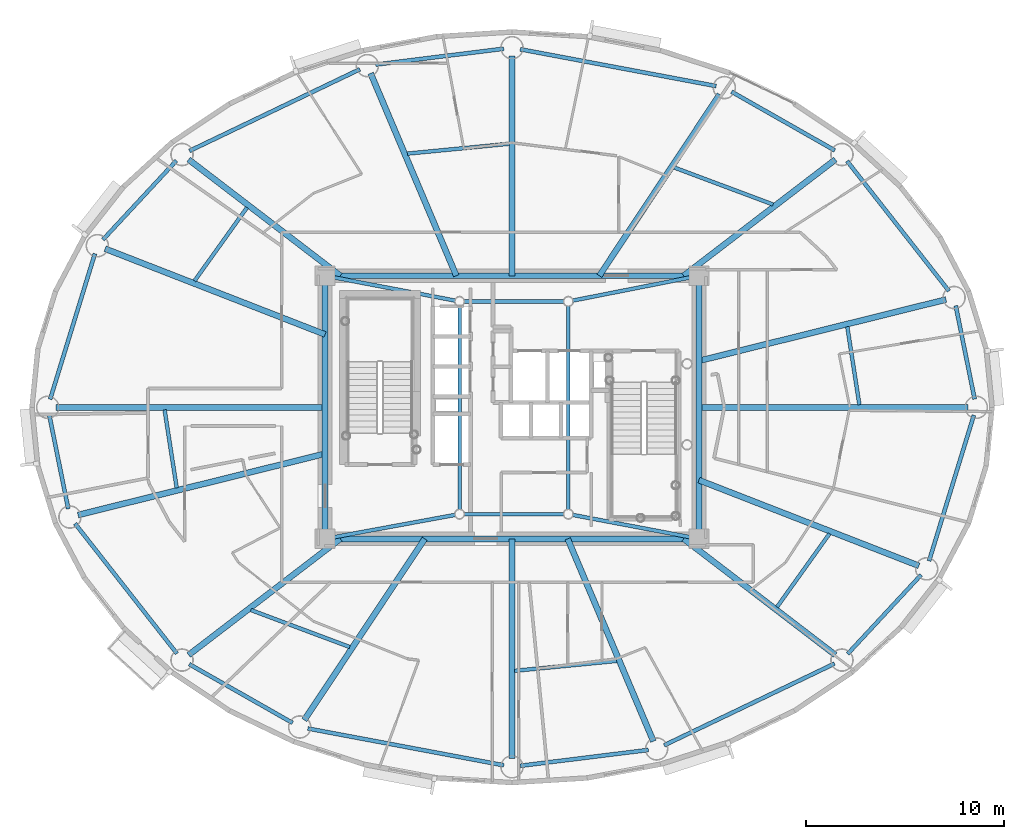
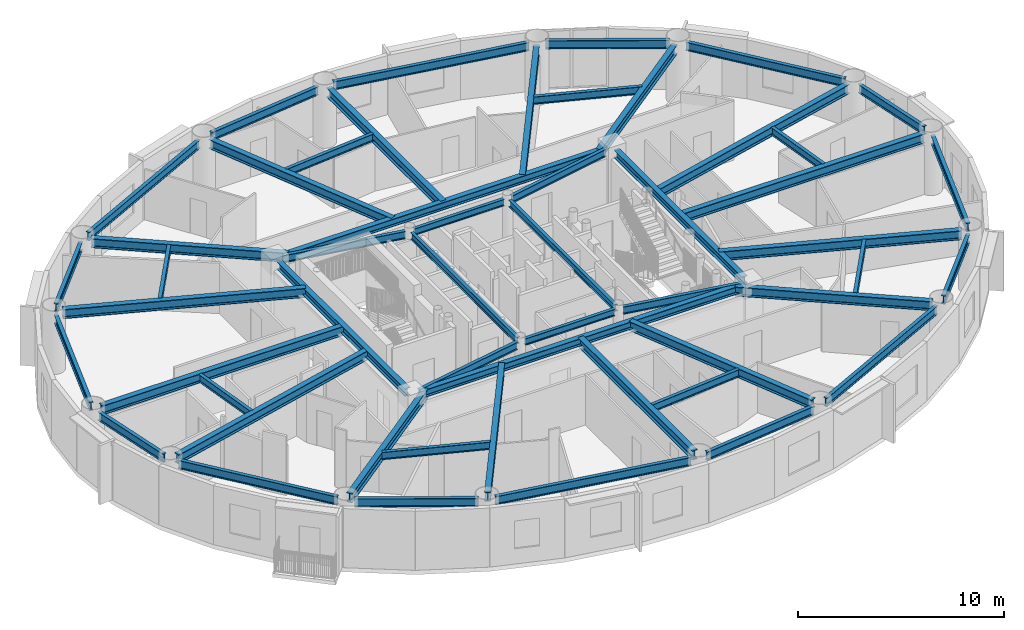
# One storey, part 3 of 16: 52 beams.
"""IFC4 building model written with IfcOpenShell, lengths in metres."""

from ifc_helpers import new_model, si_unit, direction, frame, origin, origin_2d, place, context, subcontext, project, spatial, i_section, extrude, material, material_profile, profile_set, type_object, element, save


model = new_model("IFC4")

# Units and contexts
model_context = context("Model", 3, precision=1e-05, world=origin(), true_north=direction((0.0, 1.0)))
body_context = subcontext(model_context, "Body", "Model", "MODEL_VIEW")
ifc_project = project(units=[si_unit("LENGTHUNIT", "METRE"), si_unit("AREAUNIT", "SQUARE_METRE"), si_unit("VOLUMEUNIT", "CUBIC_METRE"), si_unit("PLANEANGLEUNIT", "RADIAN"), si_unit("MASSUNIT", "GRAM", prefix="KILO")], contexts=[model_context])

# Site, building, storey
site_placement = place(None, origin())
site = spatial("IfcSite", under=ifc_project, at=site_placement, CompositionType="ELEMENT")
building_placement = place(site_placement, origin())
building = spatial("IfcBuilding", under=site, at=building_placement, Name="Linh Dai School and Residence Tower", CompositionType="ELEMENT")
storey_placement = place(building_placement, frame((0.0, 0.0, 255.300048828125)))
storey = spatial("IfcBuildingStorey", under=building, at=storey_placement, Name="L63", CompositionType="ELEMENT", Elevation=255.300048828125)

# Beams
ifc_material = material(Name="Structural Steel S355JR", Category="steel")
ifc_material_profile_1 = material_profile(ifc_material, i_section(OverallWidth=0.199951171875, OverallDepth=0.5, WebThickness=0.01025390625, FlangeThickness=0.01611328125, FilletRadius=0.02099609375, at=origin_2d()), Name="IPE 500")
ifc_profile_set_1 = profile_set([ifc_material_profile_1], Name="Structural Steel S355JR")
beam_type_1 = type_object("IfcBeamType", Name="BM-RB50", PredefinedType="BEAM", material=ifc_profile_set_1)
beam_1_placement = place(storey_placement, frame((59.3916015625, 27.41162109375, 3.25), z_axis=(-0.198423200906, 0.980116438666, 0.0), x_axis=(-0.980116438666, -0.198423200906, 0.0)))
element("IfcBeam", 1, at=beam_1_placement, inside=storey, type_object=beam_type_1, Name="L63 Perimeter Elliptical Ring Beam 01", PredefinedType="BEAM", context=body_context, shape_type="SweptSolid", body=[
    extrude(i_section(OverallWidth=0.199951171875, OverallDepth=0.5, WebThickness=0.01025390625, FlangeThickness=0.01611328125, FilletRadius=0.02099609375, at=origin_2d()), origin(), (0.0, 0.0, 1.0), 4.822021484375),
])
beam_2_placement = place(storey_placement, frame((58.09228515625, 32.8798828125, 3.25), z_axis=(-0.616900268003, 0.787041332674, 0.0), x_axis=(-0.787041332674, -0.616900268003, 0.0)))
element("IfcBeam", 2, at=beam_2_placement, inside=storey, type_object=beam_type_1, Name="L63 Perimeter Elliptical Ring Beam 02", PredefinedType="BEAM", context=body_context, shape_type="SweptSolid", body=[
    extrude(i_section(OverallWidth=0.199951171875, OverallDepth=0.5, WebThickness=0.01025390625, FlangeThickness=0.01611328125, FilletRadius=0.02099609375, at=origin_2d()), origin(), (0.0, 0.0, 1.0), 8.348388671875),
])
beam_3_placement = place(storey_placement, frame((52.318115234375, 39.988525390625, 3.25), z_axis=(-0.869297314463, 0.494289570058, 0.0), x_axis=(-0.494289570058, -0.869297314463, 0.0)))
element("IfcBeam", 3, at=beam_3_placement, inside=storey, type_object=beam_type_1, Name="L63 Perimeter Elliptical Ring Beam 03", PredefinedType="BEAM", context=body_context, shape_type="SweptSolid", body=[
    extrude(i_section(OverallWidth=0.199951171875, OverallDepth=0.5, WebThickness=0.01025390625, FlangeThickness=0.01611328125, FilletRadius=0.02099609375, at=origin_2d()), origin(), (0.0, 0.0, 1.0), 6.003173828125),
])
beam_4_placement = place(storey_placement, frame((46.32177734375, 43.240966796875, 3.25), z_axis=(-0.982806607762, 0.184637947722, 0.0), x_axis=(-0.184637947722, -0.982806607762, 0.0)))
element("IfcBeam", 4, at=beam_4_placement, inside=storey, type_object=beam_type_1, Name="L63 Perimeter Elliptical Ring Beam 04", PredefinedType="BEAM", context=body_context, shape_type="SweptSolid", body=[
    extrude(i_section(OverallWidth=0.199951171875, OverallDepth=0.5, WebThickness=0.01025390625, FlangeThickness=0.01611328125, FilletRadius=0.02099609375, at=origin_2d()), origin(), (0.0, 0.0, 1.0), 10.082275390625),
])
beam_5_placement = place(storey_placement, frame((35.583251953125, 45.12841796875, 3.25), z_axis=(-0.992401656104, -0.123040452539, 0.0), x_axis=(0.123040452539, -0.992401656104, 0.0)))
element("IfcBeam", 5, at=beam_5_placement, inside=storey, type_object=beam_type_1, Name="L63 Perimeter Elliptical Ring Beam 05", PredefinedType="BEAM", context=body_context, shape_type="SweptSolid", body=[
    extrude(i_section(OverallWidth=0.199951171875, OverallDepth=0.5, WebThickness=0.01025390625, FlangeThickness=0.01611328125, FilletRadius=0.02099609375, at=origin_2d()), origin(), (0.0, 0.0, 1.0), 6.528076171875),
])
beam_6_placement = place(storey_placement, frame((28.309326171875, 44.092041015625, 3.25), z_axis=(-0.901735920201, -0.432287323686, 0.0), x_axis=(0.432287323686, -0.901735920201, 0.0)))
element("IfcBeam", 6, at=beam_6_placement, inside=storey, type_object=beam_type_1, Name="L63 Perimeter Elliptical Ring Beam 06", PredefinedType="BEAM", context=body_context, shape_type="SweptSolid", body=[
    extrude(i_section(OverallWidth=0.199951171875, OverallDepth=0.5, WebThickness=0.01025390625, FlangeThickness=0.01611328125, FilletRadius=0.02099609375, at=origin_2d()), origin(), (0.0, 0.0, 1.0), 9.552490234375),
])
beam_7_placement = place(storey_placement, frame((19.031005859375, 39.47314453125, 3.25), z_axis=(-0.68040816846, -0.732833353699, 0.0), x_axis=(0.732833353699, -0.68040816846, 0.0)))
element("IfcBeam", 7, at=beam_7_placement, inside=storey, type_object=beam_type_1, Name="L63 Perimeter Elliptical Ring Beam 07", PredefinedType="BEAM", context=body_context, shape_type="SweptSolid", body=[
    extrude(i_section(OverallWidth=0.199951171875, OverallDepth=0.5, WebThickness=0.01025390625, FlangeThickness=0.01611328125, FilletRadius=0.02099609375, at=origin_2d()), origin(), (0.0, 0.0, 1.0), 5.453369140625),
])
beam_8_placement = place(storey_placement, frame((14.911376953125, 34.767578125, 3.25), z_axis=(-0.293660595717, -0.95590975229, 0.0), x_axis=(0.95590975229, -0.293660595717, 0.0)))
element("IfcBeam", 8, at=beam_8_placement, inside=storey, type_object=beam_type_1, Name="L63 Perimeter Elliptical Ring Beam 08", PredefinedType="BEAM", context=body_context, shape_type="SweptSolid", body=[
    extrude(i_section(OverallWidth=0.199951171875, OverallDepth=0.5, WebThickness=0.01025390625, FlangeThickness=0.01611328125, FilletRadius=0.02099609375, at=origin_2d()), origin(), (0.0, 0.0, 1.0), 7.7060546875),
])
beam_9_placement = place(storey_placement, frame((12.6083984375, 26.58837890625, 3.25), z_axis=(0.198423200906, -0.980116438666, 0.0), x_axis=(0.980116438666, 0.198423200906, 0.0)))
element("IfcBeam", 9, at=beam_9_placement, inside=storey, type_object=beam_type_1, Name="L63 Perimeter Elliptical Ring Beam 09", PredefinedType="BEAM", context=body_context, shape_type="SweptSolid", body=[
    extrude(i_section(OverallWidth=0.199951171875, OverallDepth=0.5, WebThickness=0.01025390625, FlangeThickness=0.01611328125, FilletRadius=0.02099609375, at=origin_2d()), origin(), (0.0, 0.0, 1.0), 4.822021484375),
])
beam_10_placement = place(storey_placement, frame((13.90771484375, 21.1201171875, 3.25), z_axis=(0.616900268003, -0.787041332674, 0.0), x_axis=(0.787041332674, 0.616900268003, 0.0)))
element("IfcBeam", 10, at=beam_10_placement, inside=storey, type_object=beam_type_1, Name="L63 Perimeter Elliptical Ring Beam 10", PredefinedType="BEAM", context=body_context, shape_type="SweptSolid", body=[
    extrude(i_section(OverallWidth=0.199951171875, OverallDepth=0.5, WebThickness=0.01025390625, FlangeThickness=0.01611328125, FilletRadius=0.02099609375, at=origin_2d()), origin(), (0.0, 0.0, 1.0), 8.348388671875),
])
beam_11_placement = place(storey_placement, frame((19.681884765625, 14.011474609375, 3.25), z_axis=(0.869297314463, -0.494289570058, 0.0), x_axis=(0.494289570058, 0.869297314463, 0.0)))
element("IfcBeam", 11, at=beam_11_placement, inside=storey, type_object=beam_type_1, Name="L63 Perimeter Elliptical Ring Beam 11", PredefinedType="BEAM", context=body_context, shape_type="SweptSolid", body=[
    extrude(i_section(OverallWidth=0.199951171875, OverallDepth=0.5, WebThickness=0.01025390625, FlangeThickness=0.01611328125, FilletRadius=0.02099609375, at=origin_2d()), origin(), (0.0, 0.0, 1.0), 6.003173828125),
])
beam_12_placement = place(storey_placement, frame((25.67822265625, 10.759033203125, 3.25), z_axis=(0.982806607762, -0.184637947722, 0.0), x_axis=(0.184637947722, 0.982806607762, 0.0)))
element("IfcBeam", 12, at=beam_12_placement, inside=storey, type_object=beam_type_1, Name="L63 Perimeter Elliptical Ring Beam 12", PredefinedType="BEAM", context=body_context, shape_type="SweptSolid", body=[
    extrude(i_section(OverallWidth=0.199951171875, OverallDepth=0.5, WebThickness=0.01025390625, FlangeThickness=0.01611328125, FilletRadius=0.02099609375, at=origin_2d()), origin(), (0.0, 0.0, 1.0), 10.082275390625),
])
beam_13_placement = place(storey_placement, frame((36.416748046875, 8.87158203125, 3.25), z_axis=(0.992401656104, 0.123040452539, 0.0), x_axis=(-0.123040452539, 0.992401656104, 0.0)))
element("IfcBeam", 13, at=beam_13_placement, inside=storey, type_object=beam_type_1, Name="L63 Perimeter Elliptical Ring Beam 13", PredefinedType="BEAM", context=body_context, shape_type="SweptSolid", body=[
    extrude(i_section(OverallWidth=0.199951171875, OverallDepth=0.5, WebThickness=0.01025390625, FlangeThickness=0.01611328125, FilletRadius=0.02099609375, at=origin_2d()), origin(), (0.0, 0.0, 1.0), 6.528076171875),
])
beam_14_placement = place(storey_placement, frame((43.690673828125, 9.907958984375, 3.25), z_axis=(0.901735920201, 0.432287323686, 0.0), x_axis=(-0.432287323686, 0.901735920201, 0.0)))
element("IfcBeam", 14, at=beam_14_placement, inside=storey, type_object=beam_type_1, Name="L63 Perimeter Elliptical Ring Beam 14", PredefinedType="BEAM", context=body_context, shape_type="SweptSolid", body=[
    extrude(i_section(OverallWidth=0.199951171875, OverallDepth=0.5, WebThickness=0.01025390625, FlangeThickness=0.01611328125, FilletRadius=0.02099609375, at=origin_2d()), origin(), (0.0, 0.0, 1.0), 9.552490234375),
])
beam_15_placement = place(storey_placement, frame((52.968994140625, 14.52685546875, 3.25), z_axis=(0.68040816846, 0.732833353699, 0.0), x_axis=(-0.732833353699, 0.68040816846, 0.0)))
element("IfcBeam", 15, at=beam_15_placement, inside=storey, type_object=beam_type_1, Name="L63 Perimeter Elliptical Ring Beam 15", PredefinedType="BEAM", context=body_context, shape_type="SweptSolid", body=[
    extrude(i_section(OverallWidth=0.199951171875, OverallDepth=0.5, WebThickness=0.01025390625, FlangeThickness=0.01611328125, FilletRadius=0.02099609375, at=origin_2d()), origin(), (0.0, 0.0, 1.0), 5.453369140625),
])
beam_16_placement = place(storey_placement, frame((57.088623046875, 19.232421875, 3.25), z_axis=(0.293660595717, 0.95590975229, 0.0), x_axis=(-0.95590975229, 0.293660595717, 0.0)))
element("IfcBeam", 16, at=beam_16_placement, inside=storey, type_object=beam_type_1, Name="L63 Perimeter Elliptical Ring Beam 16", PredefinedType="BEAM", context=body_context, shape_type="SweptSolid", body=[
    extrude(i_section(OverallWidth=0.199951171875, OverallDepth=0.5, WebThickness=0.01025390625, FlangeThickness=0.01611328125, FilletRadius=0.02099609375, at=origin_2d()), origin(), (0.0, 0.0, 1.0), 7.7060546875),
])
ifc_material_profile_2 = material_profile(ifc_material, i_section(OverallWidth=0.300048828125, OverallDepth=0.449951171875, WebThickness=0.013916015625, FlangeThickness=0.02587890625, FilletRadius=0.027099609375, at=origin_2d()), Name="HEB 450")
ifc_profile_set_2 = profile_set([ifc_material_profile_2], Name="Structural Steel S355JR")
beam_type_2 = type_object("IfcBeamType", Name="BM-RG45", PredefinedType="BEAM", material=ifc_profile_set_2)
beam_17_placement = place(storey_placement, frame((26.969970703125, 20.35009765625, 3.27490234375), z_axis=(1.0, 0.0, 0.0), x_axis=(0.0, 1.0, 0.0)))
element("IfcBeam", 17, at=beam_17_placement, inside=storey, type_object=beam_type_2, Name="L63 Core Perimeter Coupling Girder 1", PredefinedType="BEAM", context=body_context, shape_type="SweptSolid", body=[
    extrude(i_section(OverallWidth=0.300048828125, OverallDepth=0.449951171875, WebThickness=0.013916015625, FlangeThickness=0.02587890625, FilletRadius=0.027099609375, at=origin_2d()), origin(), (0.0, 0.0, 1.0), 18.06005859375),
])
beam_18_placement = place(storey_placement, frame((45.449951171875, 20.77001953125, 3.27490234375), z_axis=(0.0, 1.0, 0.0), x_axis=(-1.0, 0.0, 0.0)))
element("IfcBeam", 18, at=beam_18_placement, inside=storey, type_object=beam_type_2, Name="L63 Core Perimeter Coupling Girder 2", PredefinedType="BEAM", context=body_context, shape_type="SweptSolid", body=[
    extrude(i_section(OverallWidth=0.300048828125, OverallDepth=0.449951171875, WebThickness=0.013916015625, FlangeThickness=0.02587890625, FilletRadius=0.027099609375, at=origin_2d()), origin(), (0.0, 0.0, 1.0), 12.4599609375),
])
beam_19_placement = place(storey_placement, frame((45.030029296875, 33.64990234375, 3.27490234375), z_axis=(-1.0, 0.0, 0.0), x_axis=(0.0, -1.0, 0.0)))
element("IfcBeam", 19, at=beam_19_placement, inside=storey, type_object=beam_type_2, Name="L63 Core Perimeter Coupling Girder 3", PredefinedType="BEAM", context=body_context, shape_type="SweptSolid", body=[
    extrude(i_section(OverallWidth=0.300048828125, OverallDepth=0.449951171875, WebThickness=0.013916015625, FlangeThickness=0.02587890625, FilletRadius=0.027099609375, at=origin_2d()), origin(), (0.0, 0.0, 1.0), 18.06005859375),
])
beam_20_placement = place(storey_placement, frame((26.550048828125, 33.22998046875, 3.27490234375), z_axis=(0.0, -1.0, 0.0), x_axis=(1.0, 0.0, 0.0)))
element("IfcBeam", 20, at=beam_20_placement, inside=storey, type_object=beam_type_2, Name="L63 Core Perimeter Coupling Girder 4", PredefinedType="BEAM", context=body_context, shape_type="SweptSolid", body=[
    extrude(i_section(OverallWidth=0.300048828125, OverallDepth=0.449951171875, WebThickness=0.013916015625, FlangeThickness=0.02587890625, FilletRadius=0.027099609375, at=origin_2d()), origin(), (0.0, 0.0, 1.0), 12.4599609375),
])
ifc_material_profile_3 = material_profile(ifc_material, i_section(OverallWidth=0.300048828125, OverallDepth=0.550048828125, WebThickness=0.014892578125, FlangeThickness=0.029052734375, FilletRadius=0.027099609375, at=origin_2d()), Name="HEB 550")
ifc_profile_set_3 = profile_set([ifc_material_profile_3], Name="Structural Steel S355JR")
beam_type_3 = type_object("IfcBeamType", Name="BM-RG55", PredefinedType="BEAM", material=ifc_profile_set_3)
beam_21_placement = place(storey_placement, frame((45.449951171875, 27.0, 3.224853515625), z_axis=(1.0, 0.0, 0.0), x_axis=(0.0, 1.0, 0.0)))
element("IfcBeam", 21, at=beam_21_placement, inside=storey, type_object=beam_type_3, Name="L63 Primary Radial Floor Girder 01", PredefinedType="BEAM", context=body_context, shape_type="SweptSolid", body=[
    extrude(i_section(OverallWidth=0.300048828125, OverallDepth=0.550048828125, WebThickness=0.014892578125, FlangeThickness=0.029052734375, FilletRadius=0.027099609375, at=origin_2d()), origin(), (0.0, 0.0, 1.0), 13.60498046875),
])
beam_22_placement = place(storey_placement, frame((45.449951171875, 29.34619140625, 3.224853515625), z_axis=(0.970537241974, 0.240951160904, 0.0), x_axis=(-0.240951160904, 0.970537241974, 0.0)))
element("IfcBeam", 22, at=beam_22_placement, inside=storey, type_object=beam_type_3, Name="L63 Primary Radial Floor Girder 02", PredefinedType="BEAM", context=body_context, shape_type="SweptSolid", body=[
    extrude(i_section(OverallWidth=0.300048828125, OverallDepth=0.550048828125, WebThickness=0.014892578125, FlangeThickness=0.029052734375, FilletRadius=0.027099609375, at=origin_2d()), origin(), (0.0, 0.0, 1.0), 12.873291015625),
])
beam_23_placement = place(storey_placement, frame((44.680419921875, 33.64990234375, 3.224853515625), z_axis=(0.793814553483, 0.608159892363, 0.0), x_axis=(-0.608159892363, 0.793814553483, 0.0)))
element("IfcBeam", 23, at=beam_23_placement, inside=storey, type_object=beam_type_3, Name="L63 Primary Radial Floor Girder 03", PredefinedType="BEAM", context=body_context, shape_type="SweptSolid", body=[
    extrude(i_section(OverallWidth=0.300048828125, OverallDepth=0.550048828125, WebThickness=0.014892578125, FlangeThickness=0.029052734375, FilletRadius=0.027099609375, at=origin_2d()), origin(), (0.0, 0.0, 1.0), 9.661376953125),
])
beam_24_placement = place(storey_placement, frame((40.41650390625, 33.64990234375, 3.224853515625), z_axis=(0.553219177991, 0.833035738191, 0.0), x_axis=(-0.833035738191, 0.553219177991, 0.0)))
element("IfcBeam", 24, at=beam_24_placement, inside=storey, type_object=beam_type_3, Name="L63 Primary Radial Floor Girder 04", PredefinedType="BEAM", context=body_context, shape_type="SweptSolid", body=[
    extrude(i_section(OverallWidth=0.300048828125, OverallDepth=0.550048828125, WebThickness=0.014892578125, FlangeThickness=0.029052734375, FilletRadius=0.027099609375, at=origin_2d()), origin(), (0.0, 0.0, 1.0), 11.00048828125),
])
beam_25_placement = place(storey_placement, frame((36.0, 33.64990234375, 3.224853515625), z_axis=(0.0, 1.0, 0.0), x_axis=(-1.0, 0.0, 0.0)))
element("IfcBeam", 25, at=beam_25_placement, inside=storey, type_object=beam_type_3, Name="L63 Primary Radial Floor Girder 05", PredefinedType="BEAM", context=body_context, shape_type="SweptSolid", body=[
    extrude(i_section(OverallWidth=0.300048828125, OverallDepth=0.550048828125, WebThickness=0.014892578125, FlangeThickness=0.029052734375, FilletRadius=0.027099609375, at=origin_2d()), origin(), (0.0, 0.0, 1.0), 11.110107421875),
])
beam_26_placement = place(storey_placement, frame((33.18505859375, 33.64990234375, 3.224853515625), z_axis=(-0.389814803082, 0.920893272479, 0.0), x_axis=(-0.920893272479, -0.389814803082, 0.0)))
element("IfcBeam", 26, at=beam_26_placement, inside=storey, type_object=beam_type_3, Name="L63 Primary Radial Floor Girder 06", PredefinedType="BEAM", context=body_context, shape_type="SweptSolid", body=[
    extrude(i_section(OverallWidth=0.300048828125, OverallDepth=0.550048828125, WebThickness=0.014892578125, FlangeThickness=0.029052734375, FilletRadius=0.027099609375, at=origin_2d()), origin(), (0.0, 0.0, 1.0), 11.1162109375),
])
beam_27_placement = place(storey_placement, frame((27.319580078125, 33.64990234375, 3.224853515625), z_axis=(-0.793814553483, 0.608159892363, 0.0), x_axis=(-0.608159892363, -0.793814553483, 0.0)))
element("IfcBeam", 27, at=beam_27_placement, inside=storey, type_object=beam_type_3, Name="L63 Primary Radial Floor Girder 07", PredefinedType="BEAM", context=body_context, shape_type="SweptSolid", body=[
    extrude(i_section(OverallWidth=0.300048828125, OverallDepth=0.550048828125, WebThickness=0.014892578125, FlangeThickness=0.029052734375, FilletRadius=0.027099609375, at=origin_2d()), origin(), (0.0, 0.0, 1.0), 9.661376953125),
])
beam_28_placement = place(storey_placement, frame((26.550048828125, 30.68212890625, 3.224853515625), z_axis=(-0.931764994123, 0.363061972295, 0.0), x_axis=(-0.363061972295, -0.931764994123, 0.0)))
element("IfcBeam", 28, at=beam_28_placement, inside=storey, type_object=beam_type_3, Name="L63 Primary Radial Floor Girder 08", PredefinedType="BEAM", context=body_context, shape_type="SweptSolid", body=[
    extrude(i_section(OverallWidth=0.300048828125, OverallDepth=0.550048828125, WebThickness=0.014892578125, FlangeThickness=0.029052734375, FilletRadius=0.027099609375, at=origin_2d()), origin(), (0.0, 0.0, 1.0), 11.938720703125),
])
beam_29_placement = place(storey_placement, frame((26.550048828125, 27.0, 3.224853515625), z_axis=(-1.0, 0.0, 0.0), x_axis=(0.0, -1.0, 0.0)))
element("IfcBeam", 29, at=beam_29_placement, inside=storey, type_object=beam_type_3, Name="L63 Primary Radial Floor Girder 09", PredefinedType="BEAM", context=body_context, shape_type="SweptSolid", body=[
    extrude(i_section(OverallWidth=0.300048828125, OverallDepth=0.550048828125, WebThickness=0.014892578125, FlangeThickness=0.029052734375, FilletRadius=0.027099609375, at=origin_2d()), origin(), (0.0, 0.0, 1.0), 13.60498046875),
])
beam_30_placement = place(storey_placement, frame((26.550048828125, 24.65380859375, 3.224853515625), z_axis=(-0.970537241974, -0.240951160904, 0.0), x_axis=(0.240951160904, -0.970537241974, 0.0)))
element("IfcBeam", 30, at=beam_30_placement, inside=storey, type_object=beam_type_3, Name="L63 Primary Radial Floor Girder 10", PredefinedType="BEAM", context=body_context, shape_type="SweptSolid", body=[
    extrude(i_section(OverallWidth=0.300048828125, OverallDepth=0.550048828125, WebThickness=0.014892578125, FlangeThickness=0.029052734375, FilletRadius=0.027099609375, at=origin_2d()), origin(), (0.0, 0.0, 1.0), 12.873291015625),
])
beam_31_placement = place(storey_placement, frame((27.319580078125, 20.35009765625, 3.224853515625), z_axis=(-0.793814553483, -0.608159892363, 0.0), x_axis=(0.608159892363, -0.793814553483, 0.0)))
element("IfcBeam", 31, at=beam_31_placement, inside=storey, type_object=beam_type_3, Name="L63 Primary Radial Floor Girder 11", PredefinedType="BEAM", context=body_context, shape_type="SweptSolid", body=[
    extrude(i_section(OverallWidth=0.300048828125, OverallDepth=0.550048828125, WebThickness=0.014892578125, FlangeThickness=0.029052734375, FilletRadius=0.027099609375, at=origin_2d()), origin(), (0.0, 0.0, 1.0), 9.661376953125),
])
beam_32_placement = place(storey_placement, frame((31.58349609375, 20.35009765625, 3.224853515625), z_axis=(-0.553219177991, -0.833035738191, 0.0), x_axis=(0.833035738191, -0.553219177991, 0.0)))
element("IfcBeam", 32, at=beam_32_placement, inside=storey, type_object=beam_type_3, Name="L63 Primary Radial Floor Girder 12", PredefinedType="BEAM", context=body_context, shape_type="SweptSolid", body=[
    extrude(i_section(OverallWidth=0.300048828125, OverallDepth=0.550048828125, WebThickness=0.014892578125, FlangeThickness=0.029052734375, FilletRadius=0.027099609375, at=origin_2d()), origin(), (0.0, 0.0, 1.0), 11.00048828125),
])
beam_33_placement = place(storey_placement, frame((36.0, 20.35009765625, 3.224853515625), z_axis=(0.0, -1.0, 0.0), x_axis=(1.0, 0.0, 0.0)))
element("IfcBeam", 33, at=beam_33_placement, inside=storey, type_object=beam_type_3, Name="L63 Primary Radial Floor Girder 13", PredefinedType="BEAM", context=body_context, shape_type="SweptSolid", body=[
    extrude(i_section(OverallWidth=0.300048828125, OverallDepth=0.550048828125, WebThickness=0.014892578125, FlangeThickness=0.029052734375, FilletRadius=0.027099609375, at=origin_2d()), origin(), (0.0, 0.0, 1.0), 11.110107421875),
])
beam_34_placement = place(storey_placement, frame((38.81494140625, 20.35009765625, 3.224853515625), z_axis=(0.389814803082, -0.920893272479, 0.0), x_axis=(0.920893272479, 0.389814803082, 0.0)))
element("IfcBeam", 34, at=beam_34_placement, inside=storey, type_object=beam_type_3, Name="L63 Primary Radial Floor Girder 14", PredefinedType="BEAM", context=body_context, shape_type="SweptSolid", body=[
    extrude(i_section(OverallWidth=0.300048828125, OverallDepth=0.550048828125, WebThickness=0.014892578125, FlangeThickness=0.029052734375, FilletRadius=0.027099609375, at=origin_2d()), origin(), (0.0, 0.0, 1.0), 11.1162109375),
])
beam_35_placement = place(storey_placement, frame((44.680419921875, 20.35009765625, 3.224853515625), z_axis=(0.793814553483, -0.608159892363, 0.0), x_axis=(0.608159892363, 0.793814553483, 0.0)))
element("IfcBeam", 35, at=beam_35_placement, inside=storey, type_object=beam_type_3, Name="L63 Primary Radial Floor Girder 15", PredefinedType="BEAM", context=body_context, shape_type="SweptSolid", body=[
    extrude(i_section(OverallWidth=0.300048828125, OverallDepth=0.550048828125, WebThickness=0.014892578125, FlangeThickness=0.029052734375, FilletRadius=0.027099609375, at=origin_2d()), origin(), (0.0, 0.0, 1.0), 9.661376953125),
])
beam_36_placement = place(storey_placement, frame((45.449951171875, 23.31787109375, 3.224853515625), z_axis=(0.931764994123, -0.363061972295, 0.0), x_axis=(0.363061972295, 0.931764994123, 0.0)))
element("IfcBeam", 36, at=beam_36_placement, inside=storey, type_object=beam_type_3, Name="L63 Primary Radial Floor Girder 16", PredefinedType="BEAM", context=body_context, shape_type="SweptSolid", body=[
    extrude(i_section(OverallWidth=0.300048828125, OverallDepth=0.550048828125, WebThickness=0.014892578125, FlangeThickness=0.029052734375, FilletRadius=0.027099609375, at=origin_2d()), origin(), (0.0, 0.0, 1.0), 11.938720703125),
])
ifc_material_profile_4 = material_profile(ifc_material, i_section(OverallWidth=0.179931640625, OverallDepth=0.39990234375, WebThickness=0.008544921875, FlangeThickness=0.013427734375, FilletRadius=0.02099609375, at=origin_2d()), Name="IPE 400")
ifc_profile_set_4 = profile_set([ifc_material_profile_4], Name="Structural Steel S355JR")
beam_type_4 = type_object("IfcBeamType", Name="BM-SB40", PredefinedType="BEAM", material=ifc_profile_set_4)
beam_37_placement = place(storey_placement, frame((33.573974609375, 21.60009765625, 3.300048828125), z_axis=(1.0, 0.0, 0.0), x_axis=(0.0, 1.0, 0.0)))
element("IfcBeam", 37, at=beam_37_placement, inside=storey, type_object=beam_type_4, Name="L63 Core Mast Pier Tie Beam 1", PredefinedType="BEAM", context=body_context, shape_type="SweptSolid", body=[
    extrude(i_section(OverallWidth=0.179931640625, OverallDepth=0.39990234375, WebThickness=0.008544921875, FlangeThickness=0.013427734375, FilletRadius=0.02099609375, at=origin_2d()), origin(), (0.0, 0.0, 1.0), 5.052001953125),
])
beam_38_placement = place(storey_placement, frame((38.85009765625, 21.823974609375, 3.300048828125), z_axis=(0.0, 1.0, 0.0), x_axis=(-1.0, 0.0, 0.0)))
element("IfcBeam", 38, at=beam_38_placement, inside=storey, type_object=beam_type_4, Name="L63 Core Mast Pier Tie Beam 2", PredefinedType="BEAM", context=body_context, shape_type="SweptSolid", body=[
    extrude(i_section(OverallWidth=0.179931640625, OverallDepth=0.39990234375, WebThickness=0.008544921875, FlangeThickness=0.013427734375, FilletRadius=0.02099609375, at=origin_2d()), origin(), (0.0, 0.0, 1.0), 10.302001953125),
])
beam_39_placement = place(storey_placement, frame((38.6259765625, 32.35009765625, 3.300048828125), z_axis=(-1.0, 0.0, 0.0), x_axis=(0.0, -1.0, 0.0)))
element("IfcBeam", 39, at=beam_39_placement, inside=storey, type_object=beam_type_4, Name="L63 Core Mast Pier Tie Beam 3", PredefinedType="BEAM", context=body_context, shape_type="SweptSolid", body=[
    extrude(i_section(OverallWidth=0.179931640625, OverallDepth=0.39990234375, WebThickness=0.008544921875, FlangeThickness=0.013427734375, FilletRadius=0.02099609375, at=origin_2d()), origin(), (0.0, 0.0, 1.0), 5.052001953125),
])
beam_40_placement = place(storey_placement, frame((33.35009765625, 32.1259765625, 3.300048828125), z_axis=(0.0, -1.0, 0.0), x_axis=(1.0, 0.0, 0.0)))
element("IfcBeam", 40, at=beam_40_placement, inside=storey, type_object=beam_type_4, Name="L63 Core Mast Pier Tie Beam 4", PredefinedType="BEAM", context=body_context, shape_type="SweptSolid", body=[
    extrude(i_section(OverallWidth=0.179931640625, OverallDepth=0.39990234375, WebThickness=0.008544921875, FlangeThickness=0.013427734375, FilletRadius=0.02099609375, at=origin_2d()), origin(), (0.0, 0.0, 1.0), 10.302001953125),
])
ifc_material_profile_5 = material_profile(ifc_material, i_section(OverallWidth=0.18994140625, OverallDepth=0.449951171875, WebThickness=0.009521484375, FlangeThickness=0.0146484375, FilletRadius=0.02099609375, at=origin_2d()), Name="IPE 450")
ifc_profile_set_5 = profile_set([ifc_material_profile_5], Name="Structural Steel S355JR")
beam_type_5 = type_object("IfcBeamType", Name="BM-SB45", PredefinedType="BEAM", material=ifc_profile_set_5)
beam_41_placement = place(storey_placement, frame((26.963134765625, 20.426025390625, 3.27490234375), z_axis=(0.983521034508, 0.180793735182, 0.0), x_axis=(-0.180793735182, 0.983521034508, 0.0)))
element("IfcBeam", 41, at=beam_41_placement, inside=storey, type_object=beam_type_5, Name="L63 Core Corner-to-Mast Pier Beam 1", PredefinedType="BEAM", context=body_context, shape_type="SweptSolid", body=[
    extrude(i_section(OverallWidth=0.18994140625, OverallDepth=0.449951171875, WebThickness=0.009521484375, FlangeThickness=0.0146484375, FilletRadius=0.02099609375, at=origin_2d()), origin(), (0.0, 0.0, 1.0), 6.269775390625),
])
beam_42_placement = place(storey_placement, frame((45.037353515625, 20.42822265625, 3.27490234375), z_axis=(-0.982534706692, 0.186079418921, 0.0), x_axis=(-0.186079418921, -0.982534706692, 0.0)))
element("IfcBeam", 42, at=beam_42_placement, inside=storey, type_object=beam_type_5, Name="L63 Core Corner-to-Mast Pier Beam 2", PredefinedType="BEAM", context=body_context, shape_type="SweptSolid", body=[
    extrude(i_section(OverallWidth=0.18994140625, OverallDepth=0.449951171875, WebThickness=0.009521484375, FlangeThickness=0.0146484375, FilletRadius=0.02099609375, at=origin_2d()), origin(), (0.0, 0.0, 1.0), 6.0732421875),
])
beam_43_placement = place(storey_placement, frame((45.037841796875, 33.56884765625, 3.27490234375), z_axis=(-0.981147696489, -0.193259405138, 0.0), x_axis=(0.193259405138, -0.981147696489, 0.0)))
element("IfcBeam", 43, at=beam_43_placement, inside=storey, type_object=beam_type_5, Name="L63 Core Corner-to-Mast Pier Beam 3", PredefinedType="BEAM", context=body_context, shape_type="SweptSolid", body=[
    extrude(i_section(OverallWidth=0.18994140625, OverallDepth=0.449951171875, WebThickness=0.009521484375, FlangeThickness=0.0146484375, FilletRadius=0.02099609375, at=origin_2d()), origin(), (0.0, 0.0, 1.0), 6.082763671875),
])
beam_44_placement = place(storey_placement, frame((26.962646484375, 33.571044921875, 3.27490234375), z_axis=(0.982214129725, -0.187764222812, 0.0), x_axis=(0.187764222812, 0.982214129725, 0.0)))
element("IfcBeam", 44, at=beam_44_placement, inside=storey, type_object=beam_type_5, Name="L63 Core Corner-to-Mast Pier Beam 4", PredefinedType="BEAM", context=body_context, shape_type="SweptSolid", body=[
    extrude(i_section(OverallWidth=0.18994140625, OverallDepth=0.449951171875, WebThickness=0.009521484375, FlangeThickness=0.0146484375, FilletRadius=0.02099609375, at=origin_2d()), origin(), (0.0, 0.0, 1.0), 6.27880859375),
])
beam_45_placement = place(storey_placement, frame((53.564697265625, 27.12841796875, 3.27490234375), z_axis=(-0.153237508203, 0.988189387759, 0.0), x_axis=(-0.988189387759, -0.153237508203, 0.0)))
element("IfcBeam", 45, at=beam_45_placement, inside=storey, type_object=beam_type_5, Name="L63 Secondary Circumferential Floor Beam 01", PredefinedType="BEAM", context=body_context, shape_type="SweptSolid", body=[
    extrude(i_section(OverallWidth=0.18994140625, OverallDepth=0.449951171875, WebThickness=0.009521484375, FlangeThickness=0.0146484375, FilletRadius=0.02099609375, at=origin_2d()), origin(), (0.0, 0.0, 1.0), 3.994140625),
])
beam_46_placement = place(storey_placement, frame((49.2001953125, 37.25146484375, 3.27490234375), z_axis=(-0.936528326754, 0.350591918315, 0.0), x_axis=(-0.350591918315, -0.936528326754, 0.0)))
element("IfcBeam", 46, at=beam_46_placement, inside=storey, type_object=beam_type_5, Name="L63 Secondary Circumferential Floor Beam 02", PredefinedType="BEAM", context=body_context, shape_type="SweptSolid", body=[
    extrude(i_section(OverallWidth=0.18994140625, OverallDepth=0.449951171875, WebThickness=0.009521484375, FlangeThickness=0.0146484375, FilletRadius=0.02099609375, at=origin_2d()), origin(), (0.0, 0.0, 1.0), 5.336181640625),
])
beam_47_placement = place(storey_placement, frame((35.87060546875, 40.324951171875, 3.27490234375), z_axis=(-0.995332680487, -0.096503135467, 0.0), x_axis=(0.096503135467, -0.995332680487, 0.0)))
element("IfcBeam", 47, at=beam_47_placement, inside=storey, type_object=beam_type_5, Name="L63 Secondary Circumferential Floor Beam 03", PredefinedType="BEAM", context=body_context, shape_type="SweptSolid", body=[
    extrude(i_section(OverallWidth=0.18994140625, OverallDepth=0.449951171875, WebThickness=0.009521484375, FlangeThickness=0.0146484375, FilletRadius=0.02099609375, at=origin_2d()), origin(), (0.0, 0.0, 1.0), 5.188720703125),
])
beam_48_placement = place(storey_placement, frame((22.602294921875, 37.100341796875, 3.27490234375), z_axis=(-0.582017423054, -0.813176314991, 0.0), x_axis=(0.813176314991, -0.582017423054, 0.0)))
element("IfcBeam", 48, at=beam_48_placement, inside=storey, type_object=beam_type_5, Name="L63 Secondary Circumferential Floor Beam 04", PredefinedType="BEAM", context=body_context, shape_type="SweptSolid", body=[
    extrude(i_section(OverallWidth=0.18994140625, OverallDepth=0.449951171875, WebThickness=0.009521484375, FlangeThickness=0.0146484375, FilletRadius=0.02099609375, at=origin_2d()), origin(), (0.0, 0.0, 1.0), 4.5625),
])
beam_49_placement = place(storey_placement, frame((18.435302734375, 26.87158203125, 3.27490234375), z_axis=(0.153237508203, -0.988189387759, 0.0), x_axis=(0.988189387759, 0.153237508203, 0.0)))
element("IfcBeam", 49, at=beam_49_placement, inside=storey, type_object=beam_type_5, Name="L63 Secondary Circumferential Floor Beam 05", PredefinedType="BEAM", context=body_context, shape_type="SweptSolid", body=[
    extrude(i_section(OverallWidth=0.18994140625, OverallDepth=0.449951171875, WebThickness=0.009521484375, FlangeThickness=0.0146484375, FilletRadius=0.02099609375, at=origin_2d()), origin(), (0.0, 0.0, 1.0), 3.994140625),
])
beam_50_placement = place(storey_placement, frame((22.7998046875, 16.74853515625, 3.27490234375), z_axis=(0.936528326754, -0.350591918315, 0.0), x_axis=(0.350591918315, 0.936528326754, 0.0)))
element("IfcBeam", 50, at=beam_50_placement, inside=storey, type_object=beam_type_5, Name="L63 Secondary Circumferential Floor Beam 06", PredefinedType="BEAM", context=body_context, shape_type="SweptSolid", body=[
    extrude(i_section(OverallWidth=0.18994140625, OverallDepth=0.449951171875, WebThickness=0.009521484375, FlangeThickness=0.0146484375, FilletRadius=0.02099609375, at=origin_2d()), origin(), (0.0, 0.0, 1.0), 5.336181640625),
])
beam_51_placement = place(storey_placement, frame((36.12939453125, 13.675048828125, 3.27490234375), z_axis=(0.995332680487, 0.096503135467, 0.0), x_axis=(-0.096503135467, 0.995332680487, 0.0)))
element("IfcBeam", 51, at=beam_51_placement, inside=storey, type_object=beam_type_5, Name="L63 Secondary Circumferential Floor Beam 07", PredefinedType="BEAM", context=body_context, shape_type="SweptSolid", body=[
    extrude(i_section(OverallWidth=0.18994140625, OverallDepth=0.449951171875, WebThickness=0.009521484375, FlangeThickness=0.0146484375, FilletRadius=0.02099609375, at=origin_2d()), origin(), (0.0, 0.0, 1.0), 5.188720703125),
])
beam_52_placement = place(storey_placement, frame((49.397705078125, 16.899658203125, 3.27490234375), z_axis=(0.582017423054, 0.813176314991, 0.0), x_axis=(-0.813176314991, 0.582017423054, 0.0)))
element("IfcBeam", 52, at=beam_52_placement, inside=storey, type_object=beam_type_5, Name="L63 Secondary Circumferential Floor Beam 08", PredefinedType="BEAM", context=body_context, shape_type="SweptSolid", body=[
    extrude(i_section(OverallWidth=0.18994140625, OverallDepth=0.449951171875, WebThickness=0.009521484375, FlangeThickness=0.0146484375, FilletRadius=0.02099609375, at=origin_2d()), origin(), (0.0, 0.0, 1.0), 4.5625),
])

save(model, "model.ifc")
